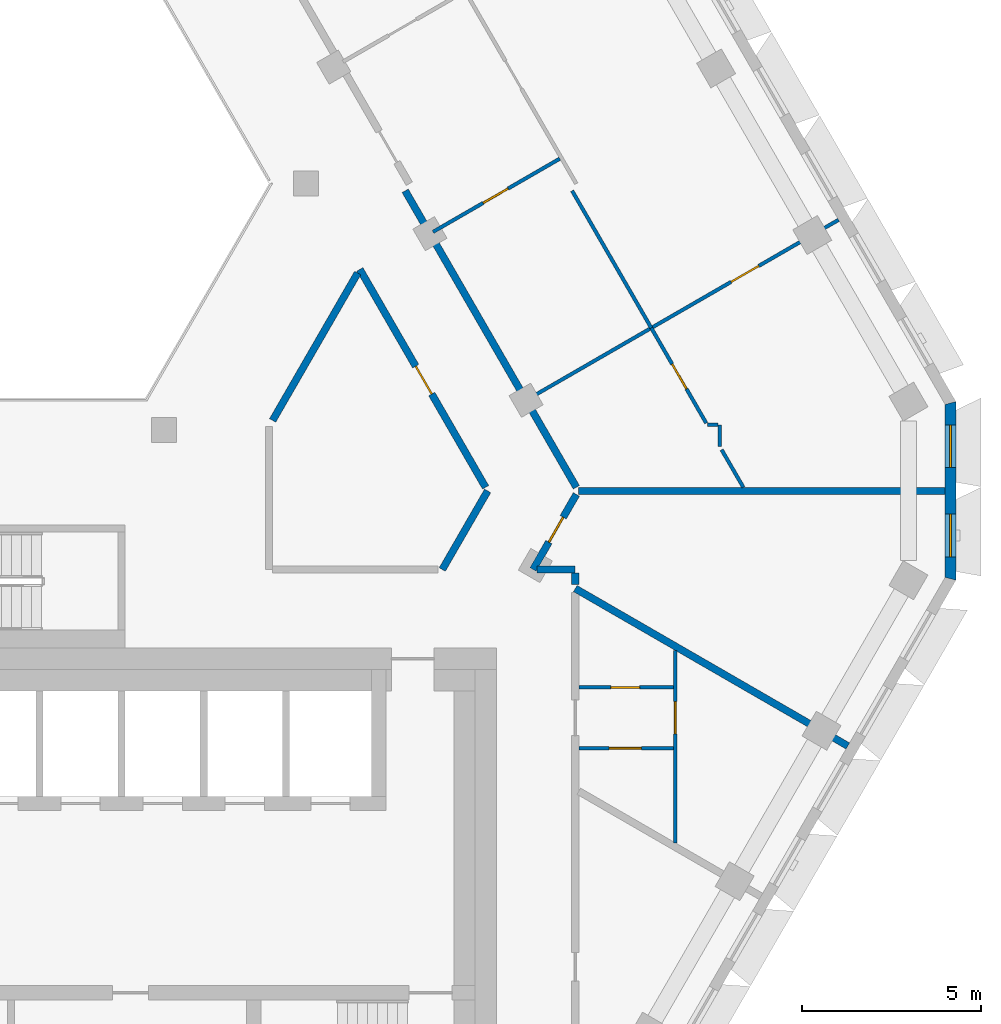
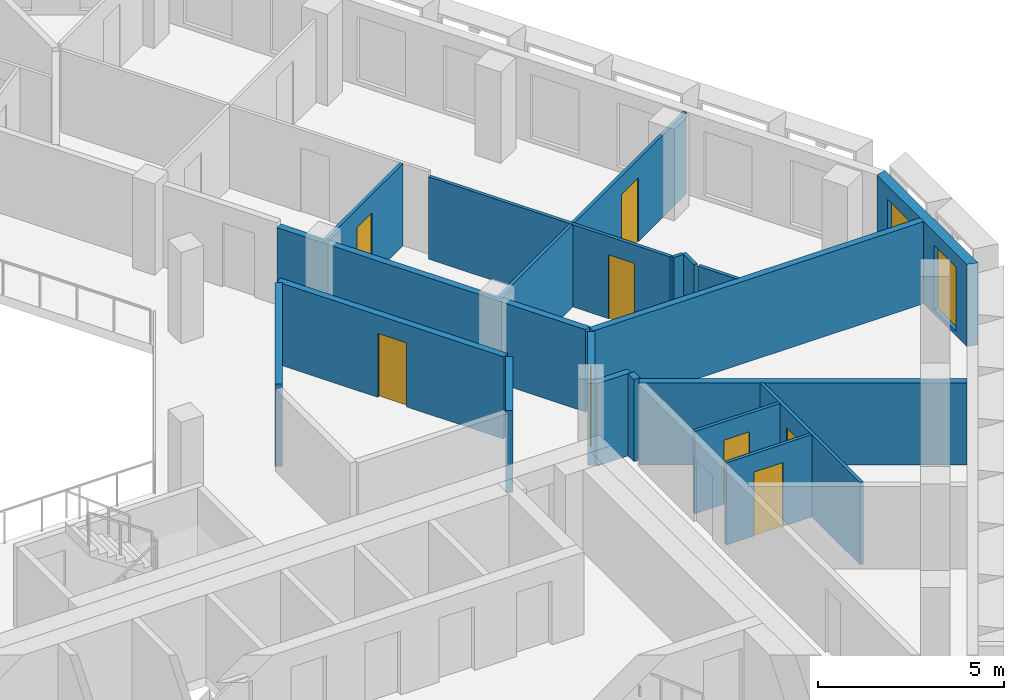
# One storey, part 6 of 17: 20 walls, 8 doors, 2 windows, 10 openings.
"""IFC4 building model written with IfcOpenShell, lengths in metres."""

from ifc_helpers import new_model, si_unit, direction, frame, frame_2d, origin, place, context, subcontext, project, spatial, polyline, rectangle, outline, extrude, material, layer, layer_set, type_object, element, fill, save


model = new_model("IFC4")

# Units and contexts
model_context = context("Model", 3, precision=1e-05, world=origin(), true_north=direction((0.0, 1.0)))
body_context = subcontext(model_context, "Body", "Model", "MODEL_VIEW")
ifc_project = project(units=[si_unit("LENGTHUNIT", "METRE"), si_unit("AREAUNIT", "SQUARE_METRE"), si_unit("VOLUMEUNIT", "CUBIC_METRE"), si_unit("PLANEANGLEUNIT", "RADIAN"), si_unit("MASSUNIT", "GRAM", prefix="KILO")], contexts=[model_context])

# Site, building, storey
site_placement = place(None, origin())
site = spatial("IfcSite", under=ifc_project, at=site_placement, CompositionType="ELEMENT")
building_placement = place(site_placement, origin())
building = spatial("IfcBuilding", under=site, at=building_placement, Name="Beryl Residences", CompositionType="ELEMENT")
storey_placement = place(building_placement, frame((0.0, 0.0, 178.199951171875)))
storey = spatial("IfcBuildingStorey", under=building, at=storey_placement, Name="L54", CompositionType="ELEMENT", Elevation=178.199951171875)

# Wall, openings, windows
ifc_material_1 = material(Name="Composite metal panel with mineral wool insulation")
ifc_layer_1 = layer(ifc_material_1, 0.300048828125)
ifc_layer_set_1 = layer_set([ifc_layer_1], Name="ES1 pale metal composite panel wall 300 mm")
wall_type_1 = type_object("IfcWallType", Name="ES1 pale metal composite panel wall 300 mm", PredefinedType="SOLIDWALL", material=ifc_layer_set_1)
wall_1_placement = place(storey_placement, frame((26.00390625, -3.10009765625, 0.0), z_axis=(0.0, 0.0, 1.0), x_axis=(0.0, 1.0, 0.0)))
wall_1 = element("IfcWall", 1, at=wall_1_placement, inside=storey, type_object=wall_type_1, Name="ES1 external wall L54 SE-NE", PredefinedType="SOLIDWALL", context=body_context, shape_type="SweptSolid", body=[
    extrude(outline(polyline([(0.0, -0.14990234375), (5.0, -0.14990234375), (4.919677734375, 0.14990234375), (0.080322265625, 0.14990234375), (0.0, -0.14990234375)])), origin(), (0.0, 0.0, 1.0), 2.699951171875),
])
opening_1_placement = place(wall_1_placement, frame((0.64990234375, 0.0, 0.14990234375)))
opening_1 = element("IfcOpeningElement", 2, at=opening_1_placement, cuts=wall_1, Name="Opening W2", PredefinedType="OPENING", context=body_context, shape_type="SweptSolid", body=[
    extrude(rectangle(XDim=1.199951171875, YDim=2.10009765625, at=frame_2d((0.60009765625, 1.050048828125))), frame((0.0, 0.159912109375, 0.0), z_axis=(0.0, -1.0, 0.0), x_axis=(1.0, 0.0, 0.0)), (0.0, 0.0, 1.0), 0.320068359375),
])
opening_2_placement = place(wall_1_placement, frame((3.14990234375, 0.0, 0.14990234375)))
opening_2 = element("IfcOpeningElement", 3, at=opening_2_placement, cuts=wall_1, Name="Opening W2", PredefinedType="OPENING", context=body_context, shape_type="SweptSolid", body=[
    extrude(rectangle(XDim=1.199951171875, YDim=2.10009765625, at=frame_2d((0.60009765625, 1.050048828125))), frame((0.0, 0.159912109375, 0.0), z_axis=(0.0, -1.0, 0.0), x_axis=(1.0, 0.0, 0.0)), (0.0, 0.0, 1.0), 0.320068359375),
])
ifc_material_2 = material(Name="Aluminium and clear glass", Category="aluminium")
window_type = type_object("IfcWindowType", Name="W2 chamfer window 1200 x 2100 mm", PartitioningType="SINGLE_PANEL", PredefinedType="WINDOW", material=ifc_material_2)
window_1_placement = place(opening_1_placement, origin())
window_1 = element("IfcWindow", 4, at=window_1_placement, inside=storey, type_object=window_type, Name="W2 window L54 SE-NE 1", OverallHeight=2.10009765625, OverallWidth=1.199951171875, PartitioningType="SINGLE_PANEL", PredefinedType="WINDOW", context=body_context, shape_type="SweptSolid", body=[
    extrude(rectangle(XDim=1.199951171875, YDim=2.10009765625, at=frame_2d((0.60009765625, 1.050048828125))), frame((0.0, 0.030029296875, 0.0), z_axis=(0.0, -1.0, 0.0), x_axis=(1.0, 0.0, 0.0)), (0.0, 0.0, 1.0), 0.06005859375),
])
fill(opening_1, window_1)
window_2_placement = place(opening_2_placement, origin())
window_2 = element("IfcWindow", 5, at=window_2_placement, inside=storey, type_object=window_type, Name="W2 window L54 SE-NE 2", OverallHeight=2.10009765625, OverallWidth=1.199951171875, PartitioningType="SINGLE_PANEL", PredefinedType="WINDOW", context=body_context, shape_type="SweptSolid", body=[
    extrude(rectangle(XDim=1.199951171875, YDim=2.10009765625, at=frame_2d((0.60009765625, 1.050048828125))), frame((0.0, 0.030029296875, 0.0), z_axis=(0.0, -1.0, 0.0), x_axis=(1.0, 0.0, 0.0)), (0.0, 0.0, 1.0), 0.06005859375),
])
fill(opening_2, window_2)

# Walls
ifc_material_3 = material(Name="Gypsum board partition on steel studs", Category="steel")
ifc_layer_2 = layer(ifc_material_3, 0.10009765625)
ifc_layer_set_2 = layer_set([ifc_layer_2], Name="PT1 partition 100 mm gypsum board on steel studs")
wall_type_2 = type_object("IfcWallType", Name="PT1 partition 100 mm gypsum board on steel studs", PredefinedType="PARTITIONING", material=ifc_layer_set_2)
wall_2_placement = place(storey_placement, frame((15.412109375, 7.800048828125, 0.0), z_axis=(0.0, 0.0, 1.0), x_axis=(0.499882970317, -0.866092960361, 0.0)))
element("IfcWall", 6, at=wall_2_placement, inside=storey, type_object=wall_type_2, Name="Wall PT1 L54 002", PredefinedType="PARTITIONING", context=body_context, shape_type="SweptSolid", body=[
    extrude(rectangle(XDim=4.4326171875, YDim=0.10009765625, at=frame_2d((2.21630859375, 0.0))), origin(), (0.0, 0.0, 1.0), 2.699951171875),
])
wall_3_placement = place(storey_placement, frame((19.596923828125, 0.551025390625, 0.0), z_axis=(0.0, 0.0, 1.0), x_axis=(0.500576018574, -0.86569258379, 0.0)))
element("IfcWall", 7, at=wall_3_placement, inside=storey, type_object=wall_type_2, Name="Wall PT1 L54 003", PredefinedType="PARTITIONING", context=body_context, shape_type="SweptSolid", body=[
    extrude(rectangle(XDim=1.212890625, YDim=0.10009765625, at=frame_2d((0.6064453125, 0.0))), origin(), (0.0, 0.0, 1.0), 2.699951171875),
])

# Wall, opening, door
wall_4_placement = place(storey_placement, frame((15.60009765625, -6.10107421875, 0.0), z_axis=(0.0, 0.0, 1.0), x_axis=(1.0, 0.0, 0.0)))
wall_4 = element("IfcWall", 8, at=wall_4_placement, inside=storey, type_object=wall_type_2, Name="Wall PT1 L54 013", PredefinedType="PARTITIONING", context=body_context, shape_type="SweptSolid", body=[
    extrude(rectangle(XDim=2.64990234375, YDim=0.10009765625, at=frame_2d((1.324951171875, 0.0))), origin(), (0.0, 0.0, 1.0), 2.699951171875),
])
opening_3_placement = place(wall_4_placement, frame((0.89990234375, 0.0, 0.0)))
opening_3 = element("IfcOpeningElement", 9, at=opening_3_placement, cuts=wall_4, Name="Opening D1422", PredefinedType="OPENING", context=body_context, shape_type="SweptSolid", body=[
    extrude(rectangle(XDim=0.800048828125, YDim=2.10009765625, at=frame_2d((0.39990234375, 1.050048828125))), frame((0.0, 0.06005859375, 0.0), z_axis=(0.0, -1.0, 0.0), x_axis=(1.0, 0.0, 0.0)), (0.0, 0.0, 1.0), 0.1201171875),
])
ifc_material_4 = material(Name="Timber door leaf", Category="wood")
door_type_1 = type_object("IfcDoorType", Name="D3 bathroom door 800 x 2100 mm", OperationType="SINGLE_SWING_LEFT", PredefinedType="DOOR", material=ifc_material_4)
door_1_placement = place(opening_3_placement, origin())
door_1 = element("IfcDoor", 10, at=door_1_placement, inside=storey, type_object=door_type_1, Name="Door D1422 L54 001", OperationType="SINGLE_SWING_RIGHT", OverallHeight=2.10009765625, OverallWidth=0.800048828125, PredefinedType="DOOR", context=body_context, shape_type="SweptSolid", body=[
    extrude(rectangle(XDim=0.800048828125, YDim=2.10009765625, at=frame_2d((0.39990234375, 1.050048828125))), frame((0.0, 0.02490234375, 0.0), z_axis=(0.0, -1.0, 0.0), x_axis=(1.0, 0.0, 0.0)), (0.0, 0.0, 1.0), 0.050048828125),
])
fill(opening_3, door_1)

wall_5_placement = place(storey_placement, frame((15.60009765625, -7.801025390625, 0.0), z_axis=(0.0, 0.0, 1.0), x_axis=(1.0, 0.0, 0.0)))
wall_5 = element("IfcWall", 11, at=wall_5_placement, inside=storey, type_object=wall_type_2, Name="Wall PT1 L54 014", PredefinedType="PARTITIONING", context=body_context, shape_type="SweptSolid", body=[
    extrude(rectangle(XDim=2.64990234375, YDim=0.10009765625, at=frame_2d((1.324951171875, 0.0))), origin(), (0.0, 0.0, 1.0), 2.699951171875),
])
opening_4_placement = place(wall_5_placement, frame((0.85009765625, 0.0, 0.0)))
opening_4 = element("IfcOpeningElement", 12, at=opening_4_placement, cuts=wall_5, Name="Opening D1423", PredefinedType="OPENING", context=body_context, shape_type="SweptSolid", body=[
    extrude(rectangle(XDim=0.89990234375, YDim=2.10009765625, at=frame_2d((0.449951171875, 1.050048828125))), frame((0.0, 0.06005859375, 0.0), z_axis=(0.0, -1.0, 0.0), x_axis=(1.0, 0.0, 0.0)), (0.0, 0.0, 1.0), 0.1201171875),
])
ifc_material_5 = material(Name="Timber door leaf", Category="wood")
door_type_2 = type_object("IfcDoorType", Name="D2 room door 900 x 2100 mm", OperationType="SINGLE_SWING_LEFT", PredefinedType="DOOR", material=ifc_material_5)
door_2_placement = place(opening_4_placement, origin())
door_2 = element("IfcDoor", 13, at=door_2_placement, inside=storey, type_object=door_type_2, Name="Door D1423 L54 001", OperationType="SINGLE_SWING_LEFT", OverallHeight=2.10009765625, OverallWidth=0.89990234375, PredefinedType="DOOR", context=body_context, shape_type="SweptSolid", body=[
    extrude(rectangle(XDim=0.89990234375, YDim=2.10009765625, at=frame_2d((0.449951171875, 1.050048828125))), frame((0.0, 0.02490234375, 0.0), z_axis=(0.0, -1.0, 0.0), x_axis=(1.0, 0.0, 0.0)), (0.0, 0.0, 1.0), 0.050048828125),
])
fill(opening_4, door_2)

# Wall
wall_6_placement = place(storey_placement, frame((19.195068359375, 1.2470703125, 0.0), z_axis=(0.0, 0.0, 1.0), x_axis=(1.0, 0.0, 0.0)))
element("IfcWall", 14, at=wall_6_placement, inside=storey, type_object=wall_type_2, Name="Wall PT1 L54 015", PredefinedType="PARTITIONING", context=body_context, shape_type="SweptSolid", body=[
    extrude(rectangle(XDim=0.302001953125, YDim=0.10009765625, at=frame_2d((0.15087890625, 0.0))), origin(), (0.0, 0.0, 1.0), 2.699951171875),
])

# Wall, opening, door
wall_7_placement = place(storey_placement, frame((18.300048828125, -10.451904296875, 0.0), z_axis=(0.0, 0.0, 1.0), x_axis=(0.0, 1.0, 0.0)))
wall_7 = element("IfcWall", 15, at=wall_7_placement, inside=storey, type_object=wall_type_2, Name="Wall PT1 L54 025", PredefinedType="PARTITIONING", context=body_context, shape_type="SweptSolid", body=[
    extrude(rectangle(XDim=5.385986328125, YDim=0.10009765625, at=frame_2d((2.69287109375, 0.0))), origin(), (0.0, 0.0, 1.0), 2.699951171875),
])
opening_5_placement = place(wall_7_placement, frame((3.051025390625, 0.0, 0.0)))
opening_5 = element("IfcOpeningElement", 16, at=opening_5_placement, cuts=wall_7, Name="Opening D1424", PredefinedType="OPENING", context=body_context, shape_type="SweptSolid", body=[
    extrude(rectangle(XDim=0.89990234375, YDim=2.10009765625, at=frame_2d((0.449951171875, 1.050048828125))), frame((0.0, 0.06005859375, 0.0), z_axis=(0.0, -1.0, 0.0), x_axis=(1.0, 0.0, 0.0)), (0.0, 0.0, 1.0), 0.1201171875),
])
door_3_placement = place(opening_5_placement, origin())
door_3 = element("IfcDoor", 17, at=door_3_placement, inside=storey, type_object=door_type_2, Name="Door D1424 L54 001", OperationType="SINGLE_SWING_RIGHT", OverallHeight=2.10009765625, OverallWidth=0.89990234375, PredefinedType="DOOR", context=body_context, shape_type="SweptSolid", body=[
    extrude(rectangle(XDim=0.89990234375, YDim=2.10009765625, at=frame_2d((0.449951171875, 1.050048828125))), frame((0.0, 0.02490234375, 0.0), z_axis=(0.0, -1.0, 0.0), x_axis=(1.0, 0.0, 0.0)), (0.0, 0.0, 1.0), 0.050048828125),
])
fill(opening_5, door_3)

# Wall
wall_8_placement = place(storey_placement, frame((19.547119140625, 0.637939453125, 0.0), z_axis=(0.0, 0.0, 1.0), x_axis=(0.0, 1.0, 0.0)))
element("IfcWall", 18, at=wall_8_placement, inside=storey, type_object=wall_type_2, Name="Wall PT1 L54 026", PredefinedType="PARTITIONING", context=body_context, shape_type="SweptSolid", body=[
    extrude(rectangle(XDim=0.609130859375, YDim=0.10009765625, at=frame_2d((0.3046875, 0.0))), origin(), (0.0, 0.0, 1.0), 2.699951171875),
])

# Wall, opening, door
wall_9_placement = place(storey_placement, frame((14.2099609375, 1.987060546875, 0.0), z_axis=(0.0, 0.0, 1.0), x_axis=(0.866022959057, 0.500004234368, 0.0)))
wall_9 = element("IfcWall", 19, at=wall_9_placement, inside=storey, type_object=wall_type_2, Name="Wall PT1 L54 032", PredefinedType="PARTITIONING", context=body_context, shape_type="SweptSolid", body=[
    extrude(rectangle(XDim=10.0, YDim=0.10009765625, at=frame_2d((5.0, 0.0))), origin(), (0.0, 0.0, 1.0), 2.699951171875),
])
opening_6_placement = place(wall_9_placement, frame((6.52294921875, 0.0, 0.0)))
opening_6 = element("IfcOpeningElement", 20, at=opening_6_placement, cuts=wall_9, Name="Opening D1430", PredefinedType="OPENING", context=body_context, shape_type="SweptSolid", body=[
    extrude(rectangle(XDim=0.89990234375, YDim=2.10009765625, at=frame_2d((0.449951171875, 1.050048828125))), frame((0.0, 0.06005859375, 0.0), z_axis=(0.0, -1.0, 0.0), x_axis=(1.0, 0.0, 0.0)), (0.0, 0.0, 1.0), 0.1201171875),
])
door_4_placement = place(opening_6_placement, origin())
door_4 = element("IfcDoor", 21, at=door_4_placement, inside=storey, type_object=door_type_2, Name="Door D1430 L54 001", OperationType="SINGLE_SWING_RIGHT", OverallHeight=2.10009765625, OverallWidth=0.89990234375, PredefinedType="DOOR", context=body_context, shape_type="SweptSolid", body=[
    extrude(rectangle(XDim=0.89990234375, YDim=2.10009765625, at=frame_2d((0.449951171875, 1.050048828125))), frame((0.0, 0.02490234375, 0.0), z_axis=(0.0, -1.0, 0.0), x_axis=(1.0, 0.0, 0.0)), (0.0, 0.0, 1.0), 0.050048828125),
])
fill(opening_6, door_4)

wall_10_placement = place(storey_placement, frame((11.51806640625, 6.64990234375, 0.0), z_axis=(0.0, 0.0, 1.0), x_axis=(0.865949381454, 0.500131651427, 0.0)))
wall_10 = element("IfcWall", 22, at=wall_10_placement, inside=storey, type_object=wall_type_2, Name="Wall PT1 L54 033", PredefinedType="PARTITIONING", context=body_context, shape_type="SweptSolid", body=[
    extrude(rectangle(XDim=4.09716796875, YDim=0.10009765625, at=frame_2d((2.048583984375, 0.0))), origin(), (0.0, 0.0, 1.0), 2.699951171875),
])
opening_7_placement = place(wall_10_placement, frame((1.623046875, 0.0, 0.0)))
opening_7 = element("IfcOpeningElement", 23, at=opening_7_placement, cuts=wall_10, Name="Opening D1428", PredefinedType="OPENING", context=body_context, shape_type="SweptSolid", body=[
    extrude(rectangle(XDim=0.800048828125, YDim=2.10009765625, at=frame_2d((0.39990234375, 1.050048828125))), frame((0.0, 0.06005859375, 0.0), z_axis=(0.0, -1.0, 0.0), x_axis=(1.0, 0.0, 0.0)), (0.0, 0.0, 1.0), 0.1201171875),
])
door_5_placement = place(opening_7_placement, origin())
door_5 = element("IfcDoor", 24, at=door_5_placement, inside=storey, type_object=door_type_1, Name="Door D1428 L54 001", OperationType="SINGLE_SWING_RIGHT", OverallHeight=2.10009765625, OverallWidth=0.800048828125, PredefinedType="DOOR", context=body_context, shape_type="SweptSolid", body=[
    extrude(rectangle(XDim=0.800048828125, YDim=2.10009765625, at=frame_2d((0.39990234375, 1.050048828125))), frame((0.0, 0.02490234375, 0.0), z_axis=(0.0, -1.0, 0.0), x_axis=(1.0, 0.0, 0.0)), (0.0, 0.0, 1.0), 0.050048828125),
])
fill(opening_7, door_5)

wall_11_placement = place(storey_placement, frame((17.6279296875, 3.9609375, 0.0), z_axis=(0.0, 0.0, 1.0), x_axis=(0.50003162148, -0.866007146345, 0.0)))
wall_11 = element("IfcWall", 25, at=wall_11_placement, inside=storey, type_object=wall_type_2, Name="Wall PT1 L54 038", PredefinedType="PARTITIONING", context=body_context, shape_type="SweptSolid", body=[
    extrude(rectangle(XDim=3.075927734375, YDim=0.10009765625, at=frame_2d((1.5380859375, 0.0))), origin(), (0.0, 0.0, 1.0), 2.699951171875),
])
opening_8_placement = place(wall_11_placement, frame((1.1669921875, 0.0, 0.0)))
opening_8 = element("IfcOpeningElement", 26, at=opening_8_placement, cuts=wall_11, Name="Opening D1433", PredefinedType="OPENING", context=body_context, shape_type="SweptSolid", body=[
    extrude(rectangle(XDim=0.800048828125, YDim=2.10009765625, at=frame_2d((0.39990234375, 1.050048828125))), frame((0.0, 0.06005859375, 0.0), z_axis=(0.0, -1.0, 0.0), x_axis=(1.0, 0.0, 0.0)), (0.0, 0.0, 1.0), 0.1201171875),
])
door_6_placement = place(opening_8_placement, origin())
door_6 = element("IfcDoor", 27, at=door_6_placement, inside=storey, type_object=door_type_1, Name="Door D1433 L54 001", OperationType="SINGLE_SWING_LEFT", OverallHeight=2.10009765625, OverallWidth=0.800048828125, PredefinedType="DOOR", context=body_context, shape_type="SweptSolid", body=[
    extrude(rectangle(XDim=0.800048828125, YDim=2.10009765625, at=frame_2d((0.39990234375, 1.050048828125))), frame((0.0, 0.02490234375, 0.0), z_axis=(0.0, -1.0, 0.0), x_axis=(1.0, 0.0, 0.0)), (0.0, 0.0, 1.0), 0.050048828125),
])
fill(opening_8, door_6)

# Walls
ifc_material_6 = material(Name="Acoustic double stud gypsum board wall")
ifc_layer_3 = layer(ifc_material_6, 0.199951171875)
ifc_layer_set_3 = layer_set([ifc_layer_3], Name="PT3 party wall 200 mm acoustic double stud")
wall_type_3 = type_object("IfcWallType", Name="PT3 party wall 200 mm acoustic double stud", PredefinedType="PARTITIONING", material=ifc_layer_set_3)
wall_12_placement = place(storey_placement, frame((15.5, -3.333984375, 0.0), z_axis=(0.0, 0.0, 1.0), x_axis=(0.866001896501, -0.5000407136, 0.0)))
element("IfcWall", 28, at=wall_12_placement, inside=storey, type_object=wall_type_3, Name="Wall PT3 L54 005", PredefinedType="PARTITIONING", context=body_context, shape_type="SweptSolid", body=[
    extrude(rectangle(XDim=8.809326171875, YDim=0.199951171875, at=frame_2d((4.40478515625, 0.0))), origin(), (0.0, 0.0, 1.0), 2.699951171875),
])
wall_13_placement = place(storey_placement, frame((15.587890625, -0.59912109375, 0.0), z_axis=(0.0, 0.0, 1.0), x_axis=(1.0, 0.0, 0.0)))
element("IfcWall", 29, at=wall_13_placement, inside=storey, type_object=wall_type_3, Name="Wall PT3 L54 008", PredefinedType="PARTITIONING", context=body_context, shape_type="SweptSolid", body=[
    extrude(rectangle(XDim=10.26611328125, YDim=0.199951171875, at=frame_2d((5.133056640625, 0.0))), origin(), (0.0, 0.0, 1.0), 2.699951171875),
])

# Wall, opening, door
ifc_material_7 = material(Name="Double stud gypsum board wall")
ifc_layer_4 = layer(ifc_material_7, 0.199951171875)
ifc_layer_set_4 = layer_set([ifc_layer_4], Name="PT4 corridor wall 200 mm double stud")
wall_type_4 = type_object("IfcWallType", Name="PT4 corridor wall 200 mm double stud", PredefinedType="PARTITIONING", material=ifc_layer_set_4)
wall_14_placement = place(storey_placement, frame((9.468994140625, 5.60009765625, 0.0), z_axis=(0.0, 0.0, 1.0), x_axis=(0.499964524401, -0.866045884662, 0.0)))
wall_14 = element("IfcWall", 30, at=wall_14_placement, inside=storey, type_object=wall_type_4, Name="Wall PT4 L54 004", PredefinedType="PARTITIONING", context=body_context, shape_type="SweptSolid", body=[
    extrude(rectangle(XDim=7.04248046875, YDim=0.199951171875, at=frame_2d((3.521240234375, 0.0))), origin(), (0.0, 0.0, 1.0), 2.699951171875),
])
opening_9_placement = place(wall_14_placement, frame((3.12890625, 0.0, 0.0)))
opening_9 = element("IfcOpeningElement", 31, at=opening_9_placement, cuts=wall_14, Name="Opening D1439", PredefinedType="OPENING", context=body_context, shape_type="SweptSolid", body=[
    extrude(rectangle(XDim=0.89990234375, YDim=2.10009765625, at=frame_2d((0.449951171875, 1.050048828125))), frame((0.0, 0.10986328125, 0.0), z_axis=(0.0, -1.0, 0.0), x_axis=(1.0, 0.0, 0.0)), (0.0, 0.0, 1.0), 0.219970703125),
])
door_7_placement = place(opening_9_placement, origin())
door_7 = element("IfcDoor", 32, at=door_7_placement, inside=storey, type_object=door_type_2, Name="Door D1439 L54 001", OperationType="SINGLE_SWING_LEFT", OverallHeight=2.10009765625, OverallWidth=0.89990234375, PredefinedType="DOOR", context=body_context, shape_type="SweptSolid", body=[
    extrude(rectangle(XDim=0.89990234375, YDim=2.10009765625, at=frame_2d((0.449951171875, 1.050048828125))), frame((0.0, 0.02490234375, 0.0), z_axis=(0.0, -1.0, 0.0), x_axis=(1.0, 0.0, 0.0)), (0.0, 0.0, 1.0), 0.050048828125),
])
fill(opening_9, door_7)

# Walls
wall_15_placement = place(storey_placement, frame((10.739013671875, 7.800048828125, 0.0), z_axis=(0.0, 0.0, 1.0), x_axis=(0.499964311759, -0.86604600742, 0.0)))
element("IfcWall", 33, at=wall_15_placement, inside=storey, type_object=wall_type_4, Name="Wall PT4 L54 005", PredefinedType="PARTITIONING", context=body_context, shape_type="SweptSolid", body=[
    extrude(rectangle(XDim=9.582763671875, YDim=0.199951171875, at=frame_2d((4.79150390625, 0.0))), origin(), (0.0, 0.0, 1.0), 2.699951171875),
])
wall_16_placement = place(storey_placement, frame((15.5, -2.90087890625, 0.0), z_axis=(0.0, 0.0, 1.0), x_axis=(0.0, -1.0, 0.0)))
element("IfcWall", 34, at=wall_16_placement, inside=storey, type_object=wall_type_4, Name="Wall PT4 L54 007", PredefinedType="PARTITIONING", context=body_context, shape_type="SweptSolid", body=[
    extrude(rectangle(XDim=0.318115234375, YDim=0.199951171875, at=frame_2d((0.1591796875, 0.0))), origin(), (0.0, 0.0, 1.0), 2.699951171875),
])
wall_17_placement = place(storey_placement, frame((14.43310546875, -2.800048828125, 0.0), z_axis=(0.0, 0.0, 1.0), x_axis=(1.0, 0.0, 0.0)))
element("IfcWall", 35, at=wall_17_placement, inside=storey, type_object=wall_type_4, Name="Wall PT4 L54 013", PredefinedType="PARTITIONING", context=body_context, shape_type="SweptSolid", body=[
    extrude(rectangle(XDim=1.06591796875, YDim=0.199951171875, at=frame_2d((0.532958984375, 0.0))), origin(), (0.0, 0.0, 1.0), 2.699951171875),
])
wall_18_placement = place(storey_placement, frame((7.028076171875, 1.373046875, 0.0), z_axis=(0.0, 0.0, 1.0), x_axis=(0.499953126767, 0.866052464367, 0.0)))
element("IfcWall", 36, at=wall_18_placement, inside=storey, type_object=wall_type_4, Name="Wall PT4 L54 016", PredefinedType="PARTITIONING", context=body_context, shape_type="SweptSolid", body=[
    extrude(rectangle(XDim=4.76416015625, YDim=0.199951171875, at=frame_2d((2.382080078125, 0.0))), origin(), (0.0, 0.0, 1.0), 2.699951171875),
])
wall_19_placement = place(storey_placement, frame((11.777099609375, -2.800048828125, 0.0), z_axis=(0.0, 0.0, 1.0), x_axis=(0.500085537782, 0.86597601289, 0.0)))
element("IfcWall", 37, at=wall_19_placement, inside=storey, type_object=wall_type_4, Name="Wall PT4 L54 017", PredefinedType="PARTITIONING", context=body_context, shape_type="SweptSolid", body=[
    extrude(rectangle(XDim=2.54150390625, YDim=0.199951171875, at=frame_2d((1.270751953125, 0.0))), origin(), (0.0, 0.0, 1.0), 2.699951171875),
])

# Wall, opening, door
wall_20_placement = place(storey_placement, frame((14.318115234375, -2.800048828125, 0.0), z_axis=(0.0, 0.0, 1.0), x_axis=(0.49964693309, 0.866229151122, 0.0)))
wall_20 = element("IfcWall", 38, at=wall_20_placement, inside=storey, type_object=wall_type_4, Name="Wall PT4 L54 018", PredefinedType="PARTITIONING", context=body_context, shape_type="SweptSolid", body=[
    extrude(rectangle(XDim=2.425537109375, YDim=0.199951171875, at=frame_2d((1.212890625, 0.0))), origin(), (0.0, 0.0, 1.0), 2.699951171875),
])
opening_10_placement = place(wall_20_placement, frame((0.885986328125, 0.0, 0.0)))
opening_10 = element("IfcOpeningElement", 39, at=opening_10_placement, cuts=wall_20, Name="Opening D1425", PredefinedType="OPENING", context=body_context, shape_type="SweptSolid", body=[
    extrude(rectangle(XDim=0.800048828125, YDim=2.10009765625, at=frame_2d((0.39990234375, 1.050048828125))), frame((0.0, 0.10986328125, 0.0), z_axis=(0.0, -1.0, 0.0), x_axis=(1.0, 0.0, 0.0)), (0.0, 0.0, 1.0), 0.219970703125),
])
door_8_placement = place(opening_10_placement, origin())
door_8 = element("IfcDoor", 40, at=door_8_placement, inside=storey, type_object=door_type_1, Name="Door D1425 L54 001", OperationType="SINGLE_SWING_LEFT", OverallHeight=2.10009765625, OverallWidth=0.800048828125, PredefinedType="DOOR", context=body_context, shape_type="SweptSolid", body=[
    extrude(rectangle(XDim=0.800048828125, YDim=2.10009765625, at=frame_2d((0.39990234375, 1.050048828125))), frame((0.0, 0.02490234375, 0.0), z_axis=(0.0, -1.0, 0.0), x_axis=(1.0, 0.0, 0.0)), (0.0, 0.0, 1.0), 0.050048828125),
])
fill(opening_10, door_8)

save(model, "model.ifc")
